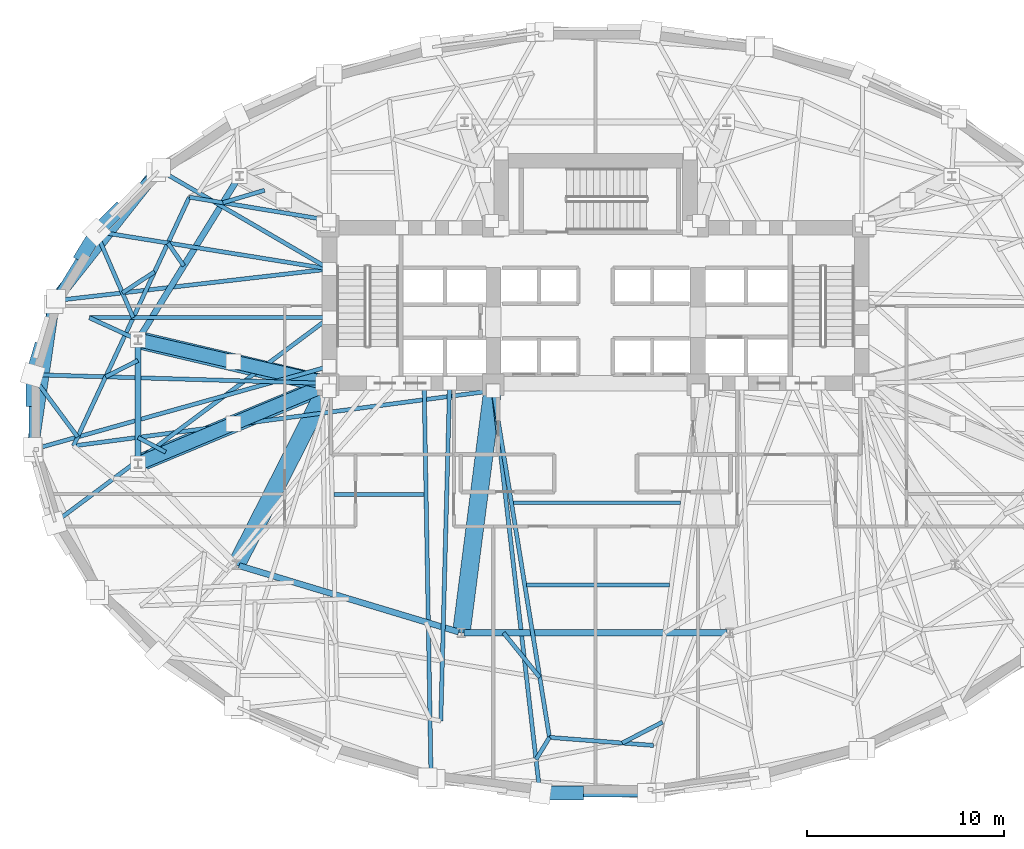
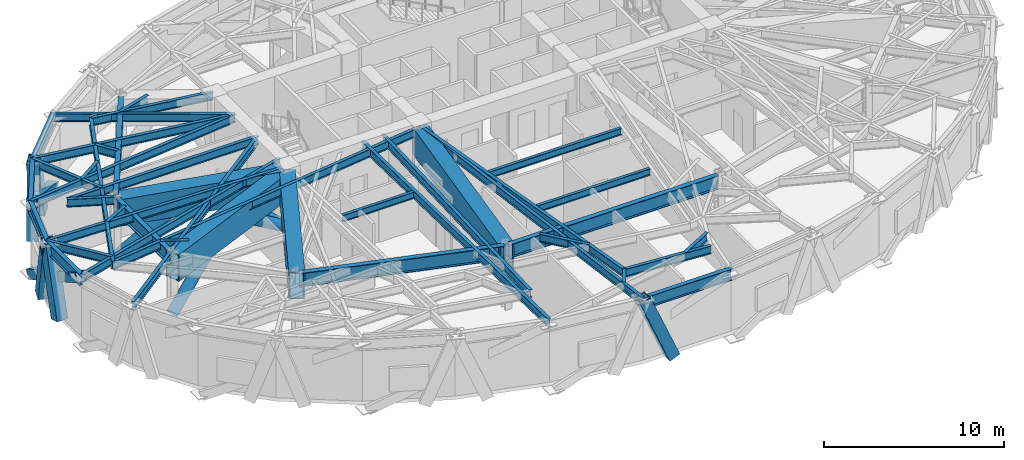
# One storey, part 2 of 14: 42 beams, 11 members.
"""IFC4 building model written with IfcOpenShell, lengths in metres."""

import ifcopenshell
import ifcopenshell.guid

model = None  # the IFC model being written
_history = None  # IfcOwnerHistory: only IFC2X3 demands one
_inside = {}  # id of a spatial element -> (the spatial element, [elements in it])
_under = {}  # id of a project, library or spatial element -> (it, [spatial elements below it])
_declared = {}  # id of a project -> (the project, [libraries it declares])
_typed = {}  # id of a type object -> (the type object, [elements of that type])
_made_of = {}  # id of a material, layer set ... -> (it, [elements and type objects made of it])


def new_model(schema):
    """Start an empty IFC model of exactly this schema.

    Asked for "IFC4X3", IfcOpenShell would pick the latest addendum, in which some entities
    have other attributes; the version numbers below select the first issue.
    IFC2X3 requires an IfcOwnerHistory on every rooted entity: one is made here for all.
    """
    global model, _history
    if schema == "IFC4X3":
        model = ifcopenshell.file(schema_version=(4, 3, 0, 0))
    else:
        model = ifcopenshell.file(schema=schema)
    _inside.clear()
    _under.clear()
    _declared.clear()
    _typed.clear()
    _made_of.clear()
    _history = None
    if model.schema == "IFC2X3":
        org = make("IfcOrganization", Name="unknown")
        user = make(
            "IfcPersonAndOrganization",
            ThePerson=make("IfcPerson", FamilyName="unknown"),
            TheOrganization=org,
        )
        app = make(
            "IfcApplication",
            ApplicationDeveloper=org,
            Version="unknown",
            ApplicationFullName="unknown",
            ApplicationIdentifier="unknown",
        )
        _history = make(
            "IfcOwnerHistory",
            OwningUser=user,
            OwningApplication=app,
            ChangeAction="ADDED",
            CreationDate=0,
        )
    return model


def make(cls, **values):
    """One entity of the class cls with the attributes given. An attribute that is None is left unset."""
    return model.create_entity(
        cls, **{name: value for name, value in values.items() if value is not None}
    )


def rooted(cls, **values):
    """An entity with a GlobalId (a new one), such as an element, a storey or a relation."""
    return make(cls, GlobalId=ifcopenshell.guid.new(), OwnerHistory=_history, **values)


def si_unit(unit_type, name, prefix=None):
    """IfcSIUnit, for example si_unit("LENGTHUNIT", "METRE", prefix="MILLI")."""
    return make("IfcSIUnit", UnitType=unit_type, Prefix=prefix, Name=name)


def assignment(units):
    """IfcUnitAssignment: the units of a project."""
    return None if units is None else make("IfcUnitAssignment", Units=units)


def point(xyz):
    """IfcCartesianPoint."""
    return None if xyz is None else make("IfcCartesianPoint", Coordinates=xyz)


def direction(xyz):
    """IfcDirection."""
    return None if xyz is None else make("IfcDirection", DirectionRatios=xyz)


def frame(location, z_axis=None, x_axis=None):
    """IfcAxis2Placement3D, a coordinate frame: its origin and axes. An axis left out is left unset."""
    return make(
        "IfcAxis2Placement3D",
        Location=point(location),
        Axis=direction(z_axis),
        RefDirection=direction(x_axis),
    )


def frame_2d(location, x_axis=None):
    """IfcAxis2Placement2D, a coordinate frame in the plane: its origin and x axis."""
    return make(
        "IfcAxis2Placement2D", Location=point(location), RefDirection=direction(x_axis)
    )


def origin():
    """The frame at (0, 0, 0) with its axes left unset."""
    return frame((0.0, 0.0, 0.0))


def origin_2d():
    """The frame at (0, 0) in the plane with its x axis left unset."""
    return frame_2d((0.0, 0.0))


def place(relative_to, where):
    """IfcLocalPlacement: puts the frame where relative to a parent placement (None: the world)."""
    return make(
        "IfcLocalPlacement", PlacementRelTo=relative_to, RelativePlacement=where
    )


def context(
    kind, dimensions, precision=None, world=None, true_north=None, identifier=None
):
    """IfcGeometricRepresentationContext, for example the 3D "Model" context."""
    return make(
        "IfcGeometricRepresentationContext",
        ContextIdentifier=identifier,
        ContextType=kind,
        CoordinateSpaceDimension=dimensions,
        Precision=precision,
        WorldCoordinateSystem=world,
        TrueNorth=true_north,
    )


def subcontext(parent, identifier, kind, view, scale=None):
    """IfcGeometricRepresentationSubContext, for example "Body" below "Model"."""
    return make(
        "IfcGeometricRepresentationSubContext",
        ContextIdentifier=identifier,
        ContextType=kind,
        ParentContext=parent,
        TargetScale=scale,
        TargetView=view,
    )


def project(units=None, contexts=None):
    """IfcProject with its units and contexts."""
    return rooted(
        "IfcProject",
        Name="project",
        RepresentationContexts=contexts,
        UnitsInContext=assignment(units),
    )


def spatial(cls, under=None, at=None, **own):
    """A site, building, storey or space (cls), placed at a placement, below another one or the project."""
    s = rooted(cls, ObjectPlacement=at, **own)
    if under is not None:
        _under.setdefault(under.id(), (under, []))[1].append(s)
    return s


def profile(cls, at=None, kind="AREA", **sizes):
    """A parametric profile (cls). Its sizes go by their IFC names, for example OverallWidth=200.0."""
    return make(cls, ProfileType=kind, Position=at, **sizes)


def hollow_rectangle(**sizes):
    """IfcRectangleHollowProfileDef."""
    return profile("IfcRectangleHollowProfileDef", **sizes)


def hollow_circle(**sizes):
    """IfcCircleHollowProfileDef."""
    return profile("IfcCircleHollowProfileDef", **sizes)


def i_section(**sizes):
    """IfcIShapeProfileDef."""
    return profile("IfcIShapeProfileDef", **sizes)


def extrude(swept, where, along, depth):
    """IfcExtrudedAreaSolid: the profile swept, set in the frame where, extruded along a direction by depth."""
    return make(
        "IfcExtrudedAreaSolid",
        SweptArea=swept,
        Position=where,
        ExtrudedDirection=direction(along),
        Depth=depth,
    )


def shape(context_of_items, identifier, shape_type, items):
    """IfcShapeRepresentation: the items that make up one representation, for example the "Body"."""
    return make(
        "IfcShapeRepresentation",
        ContextOfItems=context_of_items,
        RepresentationIdentifier=identifier,
        RepresentationType=shape_type,
        Items=items,
    )


def material(Name=None, Category=None):
    """IfcMaterial."""
    return make("IfcMaterial", Name=Name, Category=Category)


def material_profile(
    of_material, cross_section, Name=None, Category=None, Priority=None
):
    """IfcMaterialProfile: a cross section and its material."""
    return make(
        "IfcMaterialProfile",
        Name=Name,
        Material=of_material,
        Profile=cross_section,
        Priority=Priority,
        Category=Category,
    )


def profile_set(profiles, Name=None, composite=None):
    """IfcMaterialProfileSet."""
    return make(
        "IfcMaterialProfileSet",
        Name=Name,
        MaterialProfiles=profiles,
        CompositeProfile=composite,
    )


def made_of(thing, what):
    """Note that an element or type object is made of a material, layer set ...; save() writes the relation."""
    if what is not None:
        _made_of.setdefault(what.id(), (what, []))[1].append(thing)
    return thing


def type_object(cls, material=None, **own):
    """A type object (cls), such as IfcWallType, which elements share."""
    return made_of(rooted(cls, **own), material)


def element(
    cls,
    number,
    at=None,
    inside=None,
    cuts=None,
    type_object=None,
    material=None,
    context=None,
    identifier="Body",
    shape_type=None,
    held_by="IfcProductDefinitionShape",
    body=None,
    shapes=None,
    **own,
):
    """One element of the class cls, such as IfcWall. Its Tag is "e" and its number.

    at: its placement. inside: the storey or other place that contains it. cuts: it is an
    opening in that element (IfcRelVoidsElement). A single representation is given by context,
    identifier, shape_type and body (its items); several are given by shapes. held_by: the class
    of the entity that holds the representations. save() writes the other relations.
    """
    e = rooted(cls, Tag="e%d" % number, ObjectPlacement=at, **own)
    if body is not None:
        shapes = [shape(context, identifier, shape_type, body)]
    if shapes is not None:
        e.Representation = make(held_by, Representations=shapes)
    if inside is not None:
        _inside.setdefault(inside.id(), (inside, []))[1].append(e)
    if cuts is not None:
        rooted(
            "IfcRelVoidsElement", RelatingBuildingElement=cuts, RelatedOpeningElement=e
        )
    if type_object is not None:
        _typed.setdefault(type_object.id(), (type_object, []))[1].append(e)
    return made_of(e, material)


def aggregate(whole, parts):
    """IfcRelAggregates: a whole, such as a stair, and the parts it consists of."""
    return rooted("IfcRelAggregates", RelatingObject=whole, RelatedObjects=parts)


def save(model, path):
    """Write the relations noted so far, then the file.

    IfcRelAggregates (storeys below a building ...), IfcRelContainedInSpatialStructure (elements
    in a storey), IfcRelDefinesByType, IfcRelAssociatesMaterial and IfcRelDeclares: one each for
    every whole, place, type object, material and project.
    """
    for whole, parts in _under.values():
        aggregate(whole, parts)
    for where, things in _inside.values():
        rooted(
            "IfcRelContainedInSpatialStructure",
            RelatedElements=things,
            RelatingStructure=where,
        )
    for kind, things in _typed.values():
        rooted("IfcRelDefinesByType", RelatedObjects=things, RelatingType=kind)
    for what, things in _made_of.values():
        rooted("IfcRelAssociatesMaterial", RelatedObjects=things, RelatingMaterial=what)
    for by, libraries in _declared.values():
        rooted("IfcRelDeclares", RelatingContext=by, RelatedDefinitions=libraries)
    model.write(path)


model = new_model("IFC4")

# Units and contexts
model_context = context("Model", 3, precision=1e-05, world=origin(), true_north=direction((0.0, 1.0)))
body_context = subcontext(model_context, "Body", "Model", "MODEL_VIEW")
ifc_project = project(units=[si_unit("LENGTHUNIT", "METRE"), si_unit("AREAUNIT", "SQUARE_METRE"), si_unit("VOLUMEUNIT", "CUBIC_METRE"), si_unit("PLANEANGLEUNIT", "RADIAN"), si_unit("MASSUNIT", "GRAM", prefix="KILO")], contexts=[model_context])

# Site, building, storey
site_placement = place(None, origin())
site = spatial("IfcSite", under=ifc_project, at=site_placement, CompositionType="ELEMENT")
building_placement = place(site_placement, origin())
building = spatial("IfcBuilding", under=site, at=building_placement, Name="Keldmark Tower", CompositionType="ELEMENT")
storey_placement = place(building_placement, frame((0.0, 0.0, 77.39990234375)))
storey = spatial("IfcBuildingStorey", under=building, at=storey_placement, Name="L20", CompositionType="ELEMENT", Elevation=77.39990234375)

# Members
ifc_material_1 = material(Name="Steel ASTM A572 Grade 50", Category="steel")
ifc_material_profile_1 = material_profile(ifc_material_1, hollow_rectangle(XDim=0.60009765625, YDim=0.60009765625, WallThickness=0.034912109375, at=origin_2d()), Name="BOX600X600X35")
ifc_profile_set_1 = profile_set([ifc_material_profile_1], Name="Steel ASTM A572 Grade 50")
member_type_1 = type_object("IfcMemberType", Name="Belt Truss Diagonal Brace BOX600", PredefinedType="BRACE", material=ifc_profile_set_1)
member_1_placement = place(storey_placement, frame((-22.341796875, 12.20556640625, -0.539794921875), z_axis=(-0.542666542242, -0.687235016842, 0.482929659017), x_axis=(0.784820232825, -0.619723488459, 0.0)))
element("IfcMember", 1, at=member_1_placement, inside=storey, type_object=member_type_1, Name="L20 Perimeter Belt Truss Brace 07", PredefinedType="BRACE", context=body_context, shape_type="SweptSolid", body=[
    extrude(hollow_rectangle(XDim=0.60009765625, YDim=0.60009765625, WallThickness=0.034912109375, at=origin_2d()), origin(), (0.0, 0.0, 1.0), 9.359130859375),
])
member_2_placement = place(storey_placement, frame((-27.546630859375, 5.4931640625, -0.539794921875), z_axis=(-0.122456747008, -0.842460476351, 0.524656736256), x_axis=(0.989600315234, -0.143844416259, 0.0)))
element("IfcMember", 2, at=member_2_placement, inside=storey, type_object=member_type_1, Name="L20 Perimeter Belt Truss Brace 08", PredefinedType="BRACE", context=body_context, shape_type="SweptSolid", body=[
    extrude(hollow_rectangle(XDim=0.60009765625, YDim=0.60009765625, WallThickness=0.034912109375, at=origin_2d()), origin(), (0.0, 0.0, 1.0), 8.61474609375),
])

# Beams
ifc_material_2 = material(Name="Steel ASTM A992 Grade 50", Category="steel")
ifc_material_profile_2 = material_profile(ifc_material_2, i_section(OverallWidth=0.19091796875, OverallDepth=0.45703125, WebThickness=0.009033203125, FlangeThickness=0.014404296875, at=origin_2d()), Name="W18X50")
ifc_profile_set_2 = profile_set([ifc_material_profile_2], Name="Steel ASTM A992 Grade 50")
beam_type_1 = type_object("IfcBeamType", Name="Composite Floor Joist W18X50", PredefinedType="JOIST", material=ifc_profile_set_2)
beam_1_placement = place(storey_placement, frame((-3.501220703125, -8.780029296875, 4.051513671875), z_axis=(1.0, 0.0, 0.0), x_axis=(0.0, 1.0, 0.0)))
element("IfcBeam", 3, at=beam_1_placement, inside=storey, type_object=beam_type_1, Name="L20 Composite Floor Joist J03", PredefinedType="JOIST", context=body_context, shape_type="SweptSolid", body=[
    extrude(i_section(OverallWidth=0.19091796875, OverallDepth=0.45703125, WebThickness=0.009033203125, FlangeThickness=0.014404296875, at=origin_2d()), origin(), (0.0, 0.0, 1.0), 7.250732421875),
])
beam_2_placement = place(storey_placement, frame((-13.2958984375, -4.179931640625, 4.051513671875), z_axis=(1.0, 0.0, 0.0), x_axis=(0.0, 1.0, 0.0)))
element("IfcBeam", 4, at=beam_2_placement, inside=storey, type_object=beam_type_1, Name="L20 Composite Floor Joist J06", PredefinedType="JOIST", context=body_context, shape_type="SweptSolid", body=[
    extrude(i_section(OverallWidth=0.19091796875, OverallDepth=0.45703125, WebThickness=0.009033203125, FlangeThickness=0.014404296875, at=origin_2d()), origin(), (0.0, 0.0, 1.0), 4.5849609375),
])
beam_3_placement = place(storey_placement, frame((-4.1787109375, -4.60009765625, 4.051513671875), z_axis=(1.0, 0.0, 0.0), x_axis=(0.0, 1.0, 0.0)))
element("IfcBeam", 5, at=beam_3_placement, inside=storey, type_object=beam_type_1, Name="L20 Composite Floor Joist J07", PredefinedType="JOIST", context=body_context, shape_type="SweptSolid", body=[
    extrude(i_section(OverallWidth=0.19091796875, OverallDepth=0.45703125, WebThickness=0.009033203125, FlangeThickness=0.014404296875, at=origin_2d()), origin(), (0.0, 0.0, 1.0), 8.500732421875),
])

# Members
ifc_material_3 = material(Name="Steel ASTM A572 Grade 50", Category="steel")
ifc_material_profile_3 = material_profile(ifc_material_3, hollow_rectangle(XDim=0.699951171875, YDim=0.699951171875, WallThickness=0.054931640625, at=origin_2d()), Name="BOX700X700X55")
ifc_profile_set_3 = profile_set([ifc_material_profile_3], Name="Steel ASTM A572 Grade 50")
member_type_2 = type_object("IfcMemberType", Name="Diagrid Zone 1 Brace BOX700X700X55", PredefinedType="BRACE", material=ifc_profile_set_3)
member_3_placement = place(storey_placement, frame((-24.307373046875, 10.213623046875, -0.31982421875), z_axis=(-0.221448444143, -0.224447979351, 0.948990880437), x_axis=(0.711847366436, -0.702334198867, 0.0)))
element("IfcMember", 6, at=member_3_placement, inside=storey, type_object=member_type_2, Name="L20 Perimeter Diagrid Brace 07A", PredefinedType="BRACE", context=body_context, shape_type="SweptSolid", body=[
    extrude(hollow_rectangle(XDim=0.699951171875, YDim=0.699951171875, WallThickness=0.054931640625, at=origin_2d()), origin(), (0.0, 0.0, 1.0), 4.720703125),
])
member_4_placement = place(storey_placement, frame((-26.066650390625, 7.98681640625, -0.31982421875), z_axis=(0.153640198421, 0.251084541216, 0.9556941156), x_axis=(-0.852979915636, 0.521943735973, 0.0)))
element("IfcMember", 7, at=member_4_placement, inside=storey, type_object=member_type_2, Name="L20 Perimeter Diagrid Brace 07B", PredefinedType="BRACE", context=body_context, shape_type="SweptSolid", body=[
    extrude(hollow_rectangle(XDim=0.699951171875, YDim=0.699951171875, WallThickness=0.054931640625, at=origin_2d()), origin(), (0.0, 0.0, 1.0), 4.687744140625),
])
member_5_placement = place(storey_placement, frame((-28.23681640625, 3.143798828125, -0.31982421875), z_axis=(-0.078701515686, -0.267920053399, 0.960221285129), x_axis=(0.95946093439, -0.281841649477, 0.0)))
element("IfcMember", 8, at=member_5_placement, inside=storey, type_object=member_type_2, Name="L20 Perimeter Diagrid Brace 08A", PredefinedType="BRACE", context=body_context, shape_type="SweptSolid", body=[
    extrude(hollow_rectangle(XDim=0.699951171875, YDim=0.699951171875, WallThickness=0.054931640625, at=origin_2d()), origin(), (0.0, 0.0, 1.0), 4.66552734375),
])
member_6_placement = place(storey_placement, frame((-28.6015625, 0.631103515625, -0.31982421875), z_axis=(0.0, 0.273613279617, 0.961839785628), x_axis=(-1.0, 0.0, 0.0)))
element("IfcMember", 9, at=member_6_placement, inside=storey, type_object=member_type_2, Name="L20 Perimeter Diagrid Brace 08B", PredefinedType="BRACE", context=body_context, shape_type="SweptSolid", body=[
    extrude(hollow_rectangle(XDim=0.699951171875, YDim=0.699951171875, WallThickness=0.054931640625, at=origin_2d()), origin(), (0.0, 0.0, 1.0), 4.65771484375),
])
member_7_placement = place(storey_placement, frame((-0.93505859375, -19.346435546875, -0.31982421875), z_axis=(-0.387275193289, 0.0, 0.921964166691), x_axis=(0.0, -1.0, 0.0)))
element("IfcMember", 10, at=member_7_placement, inside=storey, type_object=member_type_2, Name="L20 Perimeter Diagrid Brace 12B", PredefinedType="BRACE", context=body_context, shape_type="SweptSolid", body=[
    extrude(hollow_rectangle(XDim=0.699951171875, YDim=0.699951171875, WallThickness=0.054931640625, at=origin_2d()), origin(), (0.0, 0.0, 1.0), 4.859130859375),
])

# Beams
ifc_material_4 = material(Name="Steel ASTM A992 Grade 50", Category="steel")
ifc_material_profile_4 = material_profile(ifc_material_4, i_section(OverallWidth=0.31005859375, OverallDepth=0.931884765625, WebThickness=0.02099609375, FlangeThickness=0.034423828125, at=origin_2d()), Name="W36X210")
ifc_profile_set_4 = profile_set([ifc_material_profile_4], Name="Steel ASTM A992 Grade 50")
beam_type_2 = type_object("IfcBeamType", Name="Outrigger Chord Girder W36X210", PredefinedType="BEAM", material=ifc_profile_set_4)
beam_4_placement = place(storey_placement, frame((-18.17138671875, 11.888427734375, 3.814208984375), z_axis=(-0.526318405849, -0.850287560573, 0.0), x_axis=(0.850287560573, -0.526318405849, 0.0)))
element("IfcBeam", 11, at=beam_4_placement, inside=storey, type_object=beam_type_2, Name="L20 Floor Ring Girder FG-R05", PredefinedType="BEAM", context=body_context, shape_type="SweptSolid", body=[
    extrude(i_section(OverallWidth=0.31005859375, OverallDepth=0.931884765625, WebThickness=0.02099609375, FlangeThickness=0.034423828125, at=origin_2d()), origin(), (0.0, 0.0, 1.0), 9.51708984375),
])
beam_5_placement = place(storey_placement, frame((-23.25390625, 3.537109375, 3.814208984375), z_axis=(0.0, -1.0, 0.0), x_axis=(1.0, 0.0, 0.0)))
element("IfcBeam", 12, at=beam_5_placement, inside=storey, type_object=beam_type_2, Name="L20 Floor Ring Girder FG-R06", PredefinedType="BEAM", context=body_context, shape_type="SweptSolid", body=[
    extrude(i_section(OverallWidth=0.31005859375, OverallDepth=0.931884765625, WebThickness=0.02099609375, FlangeThickness=0.034423828125, at=origin_2d()), origin(), (0.0, 0.0, 1.0), 6.01025390625),
])
beam_6_placement = place(storey_placement, frame((-18.118896484375, -7.796142578125, 3.814208984375), z_axis=(0.957346071406, -0.2889437654, 0.0), x_axis=(0.2889437654, 0.957346071406, 0.0)))
element("IfcBeam", 13, at=beam_6_placement, inside=storey, type_object=beam_type_2, Name="L20 Floor Ring Girder FG-R08", PredefinedType="BEAM", context=body_context, shape_type="SweptSolid", body=[
    extrude(i_section(OverallWidth=0.31005859375, OverallDepth=0.931884765625, WebThickness=0.02099609375, FlangeThickness=0.034423828125, at=origin_2d()), origin(), (0.0, 0.0, 1.0), 11.66015625),
])
beam_7_placement = place(storey_placement, frame((-6.68212890625, -11.205810546875, 3.814208984375), z_axis=(1.0, 0.0, 0.0), x_axis=(0.0, 1.0, 0.0)))
element("IfcBeam", 14, at=beam_7_placement, inside=storey, type_object=beam_type_2, Name="L20 Floor Ring Girder FG-R09", PredefinedType="BEAM", context=body_context, shape_type="SweptSolid", body=[
    extrude(i_section(OverallWidth=0.31005859375, OverallDepth=0.931884765625, WebThickness=0.02099609375, FlangeThickness=0.034423828125, at=origin_2d()), origin(), (0.0, 0.0, 1.0), 13.3642578125),
])

# Members
ifc_material_5 = material(Name="Steel ASTM A572 Grade 50", Category="steel")
ifc_material_profile_5 = material_profile(ifc_material_5, hollow_circle(Radius=0.35009765625, WallThickness=0.031982421875, at=origin_2d()), Name="CHS700X32")
ifc_profile_set_5 = profile_set([ifc_material_profile_5], Name="Steel ASTM A572 Grade 50")
member_type_3 = type_object("IfcMemberType", Name="Outrigger Web Strut CHS700X32", PredefinedType="STRUT", material=ifc_profile_set_5)
member_8_placement = place(storey_placement, frame((-13.550048828125, 1.449951171875, 0.150146484375), z_axis=(-0.77250098026, 0.177324618695, 0.609752585154), x_axis=(-0.223727542201, -0.974651725931, 0.0)))
element("IfcMember", 15, at=member_8_placement, inside=storey, type_object=member_type_3, Name="L20 Core Outrigger Truss Strut 01A", PredefinedType="STRUT", context=body_context, shape_type="SweptSolid", body=[
    extrude(hollow_circle(Radius=0.35009765625, WallThickness=0.031982421875, at=origin_2d()), origin(), (0.0, 0.0, 1.0), 6.281005859375),
])
member_9_placement = place(storey_placement, frame((-23.25390625, 3.67724609375, 0.150146484375), z_axis=(0.772490629777, -0.177292294189, 0.609775097334), x_axis=(0.223691646943, 0.974659964853, 0.0)))
element("IfcMember", 16, at=member_9_placement, inside=storey, type_object=member_type_3, Name="L20 Core Outrigger Truss Strut 01B", PredefinedType="STRUT", context=body_context, shape_type="SweptSolid", body=[
    extrude(hollow_circle(Radius=0.35009765625, WallThickness=0.031982421875, at=origin_2d()), origin(), (0.0, 0.0, 1.0), 6.28076171875),
])
for number, where, z_axis, x_axis, name in (
    (17, (-13.550048828125, 1.449951171875, 0.150146484375), (-0.745702038207, -0.312216295659, 0.588599570965), (0.38620329616, -0.922413689206, 0.0), "L20 Core Outrigger Truss Strut 02A"),
    (18, (-23.25390625, -2.61328125, 0.150146484375), (0.745676644221, 0.312258895648, 0.588609143959), (-0.38625932144, 0.922390230109, 0.0), "L20 Core Outrigger Truss Strut 02B"),
):
    element("IfcMember", number, at=place(storey_placement, frame(where, z_axis=z_axis, x_axis=x_axis)), inside=storey, type_object=member_type_3, Name=name, PredefinedType="STRUT", context=body_context, shape_type="SweptSolid", body=[
        extrude(hollow_circle(Radius=0.35009765625, WallThickness=0.031982421875, at=origin_2d()), origin(), (0.0, 0.0, 1.0), 6.506591796875),
    ])

# Beams
ifc_material_6 = material(Name="Steel ASTM A572 Grade 50", Category="steel")
ifc_material_profile_6 = material_profile(ifc_material_6, hollow_rectangle(XDim=0.89990234375, YDim=1.800048828125, WallThickness=0.074951171875, at=origin_2d()), Name="TBOX1800X900X75")
ifc_profile_set_6 = profile_set([ifc_material_profile_6], Name="Steel ASTM A572 Grade 50")
beam_type_3 = type_object("IfcBeamType", Name="Perimeter Transfer Box Girder 1800x900", PredefinedType="USERDEFINED", material=ifc_profile_set_6)
beam_8_placement = place(storey_placement, frame((-23.25390625, 3.67724609375, 3.380126953125), z_axis=(0.973289459221, -0.22958142035, 0.0), x_axis=(0.22958142035, 0.973289459221, 0.0)))
element("IfcBeam", 19, at=beam_8_placement, inside=storey, type_object=beam_type_3, Name="L20 Upper Crown Transfer Box Girder UTB-TC-W1", ObjectType="TRANSFER GIRDER", PredefinedType="USERDEFINED", context=body_context, shape_type="SweptSolid", body=[
    extrude(hollow_rectangle(XDim=0.89990234375, YDim=1.800048828125, WallThickness=0.074951171875, at=origin_2d()), origin(), (0.0, 0.0, 1.0), 9.638916015625),
])
beam_9_placement = place(storey_placement, frame((-23.25390625, -2.61328125, 3.380126953125), z_axis=(0.923391802867, 0.38385880008, 0.0), x_axis=(-0.38385880008, 0.923391802867, 0.0)))
element("IfcBeam", 20, at=beam_9_placement, inside=storey, type_object=beam_type_3, Name="L20 Upper Crown Transfer Box Girder UTB-TC-W5", ObjectType="TRANSFER GIRDER", PredefinedType="USERDEFINED", context=body_context, shape_type="SweptSolid", body=[
    extrude(hollow_rectangle(XDim=0.89990234375, YDim=1.800048828125, WallThickness=0.074951171875, at=origin_2d()), origin(), (0.0, 0.0, 1.0), 10.175048828125),
])
beam_10_placement = place(storey_placement, frame((-18.252685546875, -7.755615234375, 3.380126953125), z_axis=(0.45303997772, 0.891490201061, 0.0), x_axis=(-0.891490201061, 0.45303997772, 0.0)))
element("IfcBeam", 21, at=beam_10_placement, inside=storey, type_object=beam_type_3, Name="L20 Upper Crown Transfer Box Girder UTB-TC-W2", ObjectType="TRANSFER GIRDER", PredefinedType="USERDEFINED", context=body_context, shape_type="SweptSolid", body=[
    extrude(hollow_rectangle(XDim=0.89990234375, YDim=1.800048828125, WallThickness=0.074951171875, at=origin_2d()), origin(), (0.0, 0.0, 1.0), 9.989990234375),
])
beam_11_placement = place(storey_placement, frame((-6.822021484375, -11.205810546875, 3.380126953125), z_axis=(0.12763105011, 0.991821715354, 0.0), x_axis=(-0.991821715354, 0.12763105011, 0.0)))
element("IfcBeam", 22, at=beam_11_placement, inside=storey, type_object=beam_type_3, Name="L20 Upper Crown Transfer Box Girder UTB-TC-W3", ObjectType="TRANSFER GIRDER", PredefinedType="USERDEFINED", context=body_context, shape_type="SweptSolid", body=[
    extrude(hollow_rectangle(XDim=0.89990234375, YDim=1.800048828125, WallThickness=0.074951171875, at=origin_2d()), origin(), (0.0, 0.0, 1.0), 12.4296875),
])
ifc_material_7 = material(Name="Steel ASTM A992 Grade 50", Category="steel")
ifc_material_profile_7 = material_profile(ifc_material_7, i_section(OverallWidth=0.2099609375, OverallDepth=0.537109375, WebThickness=0.010986328125, FlangeThickness=0.017333984375, at=origin_2d()), Name="W21X68")
ifc_profile_set_7 = profile_set([ifc_material_profile_7], Name="Steel ASTM A992 Grade 50")
beam_type_4 = type_object("IfcBeamType", Name="Radial Tie Girder W21X68", PredefinedType="BEAM", material=ifc_profile_set_7)
beam_12_placement = place(storey_placement, frame((-16.8212890625, 11.28173828125, 4.01171875), z_axis=(-0.958075205572, -0.286516841509, 0.0), x_axis=(0.286516841509, -0.958075205572, 0.0)))
element("IfcBeam", 23, at=beam_12_placement, inside=storey, type_object=beam_type_4, Name="L20 Framing Pin Header PH-006", PredefinedType="BEAM", context=body_context, shape_type="SweptSolid", body=[
    extrude(i_section(OverallWidth=0.2099609375, OverallDepth=0.537109375, WebThickness=0.010986328125, FlangeThickness=0.017333984375, at=origin_2d()), origin(), (0.0, 0.0, 1.0), 2.21044921875),
])
beam_13_placement = place(storey_placement, frame((-13.52490234375, 9.75, 4.01171875), z_axis=(-0.98650526211, 0.163729556981, 0.0), x_axis=(-0.163729556981, -0.98650526211, 0.0)))
element("IfcBeam", 24, at=beam_13_placement, inside=storey, type_object=beam_type_4, Name="L20 Sub-Ring Step Girder STP1-M06", PredefinedType="BEAM", context=body_context, shape_type="SweptSolid", body=[
    extrude(i_section(OverallWidth=0.2099609375, OverallDepth=0.537109375, WebThickness=0.010986328125, FlangeThickness=0.017333984375, at=origin_2d()), origin(), (0.0, 0.0, 1.0), 7.215576171875),
])
beam_14_placement = place(storey_placement, frame((-21.8447265625, -2.02734375, 4.01171875), z_axis=(-0.88282246256, 0.469706823029, 0.0), x_axis=(-0.469706823029, -0.88282246256, 0.0)))
element("IfcBeam", 25, at=beam_14_placement, inside=storey, type_object=beam_type_4, Name="L20 Framing Pin Header PH-007", PredefinedType="BEAM", context=body_context, shape_type="SweptSolid", body=[
    extrude(i_section(OverallWidth=0.2099609375, OverallDepth=0.537109375, WebThickness=0.010986328125, FlangeThickness=0.017333984375, at=origin_2d()), origin(), (0.0, 0.0, 1.0), 1.59619140625),
])
beam_15_placement = place(storey_placement, frame((-5.199951171875, 1.10009765625, 4.01171875), z_axis=(-0.991439381408, -0.130567809946, 0.0), x_axis=(0.130567809946, -0.991439381408, 0.0)))
element("IfcBeam", 26, at=beam_15_placement, inside=storey, type_object=beam_type_4, Name="L20 Sub-Ring Step Girder STP1-M07", PredefinedType="BEAM", context=body_context, shape_type="SweptSolid", body=[
    extrude(i_section(OverallWidth=0.2099609375, OverallDepth=0.537109375, WebThickness=0.010986328125, FlangeThickness=0.017333984375, at=origin_2d()), origin(), (0.0, 0.0, 1.0), 21.51611328125),
])
beam_16_placement = place(storey_placement, frame((-20.64306640625, 10.931396484375, 4.01171875), z_axis=(-0.422294024081, -0.906458910942, 0.0), x_axis=(0.906458910942, -0.422294024081, 0.0)))
element("IfcBeam", 27, at=beam_16_placement, inside=storey, type_object=beam_type_4, Name="L20 Perimeter Collector Ring Beam CRG1-M06", PredefinedType="BEAM", context=body_context, shape_type="SweptSolid", body=[
    extrude(i_section(OverallWidth=0.2099609375, OverallDepth=0.537109375, WebThickness=0.010986328125, FlangeThickness=0.017333984375, at=origin_2d()), origin(), (0.0, 0.0, 1.0), 13.945068359375),
])
beam_17_placement = place(storey_placement, frame((-13.52490234375, 7.278564453125, 4.01171875), z_axis=(-0.8639942117, 0.503501739967, 0.0), x_axis=(-0.503501739967, -0.8639942117, 0.0)))
element("IfcBeam", 28, at=beam_17_placement, inside=storey, type_object=beam_type_4, Name="L20 Perimeter Radial Tie Girder RT-13", PredefinedType="BEAM", context=body_context, shape_type="SweptSolid", body=[
    extrude(i_section(OverallWidth=0.2099609375, OverallDepth=0.537109375, WebThickness=0.010986328125, FlangeThickness=0.017333984375, at=origin_2d()), origin(), (0.0, 0.0, 1.0), 10.11328125),
])
beam_18_placement = place(storey_placement, frame((-20.92626953125, 7.437744140625, 4.01171875), z_axis=(-0.567987322016, 0.823037302939, 0.0), x_axis=(-0.823037302939, -0.567987322016, 0.0)))
element("IfcBeam", 29, at=beam_18_placement, inside=storey, type_object=beam_type_4, Name="L20 Framing Pin Header PH-024", PredefinedType="BEAM", context=body_context, shape_type="SweptSolid", body=[
    extrude(i_section(OverallWidth=0.2099609375, OverallDepth=0.537109375, WebThickness=0.010986328125, FlangeThickness=0.017333984375, at=origin_2d()), origin(), (0.0, 0.0, 1.0), 1.412841796875),
])
beam_19_placement = place(storey_placement, frame((-13.52490234375, 7.278564453125, 4.01171875), z_axis=(-0.987262933016, 0.15909714357, 0.0), x_axis=(-0.15909714357, -0.987262933016, 0.0)))
element("IfcBeam", 30, at=beam_19_placement, inside=storey, type_object=beam_type_4, Name="L20 Perimeter Radial Tie Girder RT-14", PredefinedType="BEAM", context=body_context, shape_type="SweptSolid", body=[
    extrude(i_section(OverallWidth=0.2099609375, OverallDepth=0.537109375, WebThickness=0.010986328125, FlangeThickness=0.017333984375, at=origin_2d()), origin(), (0.0, 0.0, 1.0), 12.027587890625),
])
beam_20_placement = place(storey_placement, frame((-25.3994140625, 9.192138671875, 4.01171875), z_axis=(0.398100416089, -0.917341843976, 0.0), x_axis=(0.917341843976, 0.398100416089, 0.0)))
element("IfcBeam", 31, at=beam_20_placement, inside=storey, type_object=beam_type_4, Name="L20 Framing Pin Header PH-025", PredefinedType="BEAM", context=body_context, shape_type="SweptSolid", body=[
    extrude(i_section(OverallWidth=0.2099609375, OverallDepth=0.537109375, WebThickness=0.010986328125, FlangeThickness=0.017333984375, at=origin_2d()), origin(), (0.0, 0.0, 1.0), 4.7802734375),
])
beam_21_placement = place(storey_placement, frame((-13.52490234375, 4.80712890625, 4.01171875), z_axis=(-0.999999999199, -4.0016006e-05, 0.0), x_axis=(4.0016006e-05, -0.999999999199, 0.0)))
element("IfcBeam", 32, at=beam_21_placement, inside=storey, type_object=beam_type_4, Name="L20 Intermediate Radial Step Girder RT-15M", PredefinedType="BEAM", context=body_context, shape_type="SweptSolid", body=[
    extrude(i_section(OverallWidth=0.2099609375, OverallDepth=0.537109375, WebThickness=0.010986328125, FlangeThickness=0.017333984375, at=origin_2d()), origin(), (0.0, 0.0, 1.0), 12.2021484375),
])
beam_22_placement = place(storey_placement, frame((-23.25390625, 3.67724609375, 4.01171875), z_axis=(-0.909639324148, 0.415398964808, 0.0), x_axis=(-0.415398964808, -0.909639324148, 0.0)))
element("IfcBeam", 33, at=beam_22_placement, inside=storey, type_object=beam_type_4, Name="L20 Local Collector Chord RT-15C", PredefinedType="BEAM", context=body_context, shape_type="SweptSolid", body=[
    extrude(i_section(OverallWidth=0.2099609375, OverallDepth=0.537109375, WebThickness=0.010986328125, FlangeThickness=0.017333984375, at=origin_2d()), origin(), (0.0, 0.0, 1.0), 2.71875),
])
beam_23_placement = place(storey_placement, frame((-23.25390625, 2.635498046875, 4.01171875), z_axis=(-0.891386944166, -0.453243108906, 0.0), x_axis=(0.453243108906, -0.891386944166, 0.0)))
element("IfcBeam", 34, at=beam_23_placement, inside=storey, type_object=beam_type_4, Name="L20 Framing Pin Header PH-026", PredefinedType="BEAM", context=body_context, shape_type="SweptSolid", body=[
    extrude(i_section(OverallWidth=0.2099609375, OverallDepth=0.537109375, WebThickness=0.010986328125, FlangeThickness=0.017333984375, at=origin_2d()), origin(), (0.0, 0.0, 1.0), 1.84326171875),
])
beam_24_placement = place(storey_placement, frame((-13.89990234375, 1.47509765625, 4.01171875), z_axis=(-0.999563529076, 0.02954236519, 0.0), x_axis=(-0.02954236519, -0.999563529076, 0.0)))
element("IfcBeam", 35, at=beam_24_placement, inside=storey, type_object=beam_type_4, Name="L20 Perimeter Radial Tie Girder RT-16", PredefinedType="BEAM", context=body_context, shape_type="SweptSolid", body=[
    extrude(i_section(OverallWidth=0.2099609375, OverallDepth=0.537109375, WebThickness=0.010986328125, FlangeThickness=0.017333984375, at=origin_2d()), origin(), (0.0, 0.0, 1.0), 14.767822265625),
])
beam_25_placement = place(storey_placement, frame((-28.661376953125, 1.911376953125, 4.01171875), z_axis=(0.594619421448, -0.804007303224, 0.0), x_axis=(0.804007303224, 0.594619421448, 0.0)))
element("IfcBeam", 36, at=beam_25_placement, inside=storey, type_object=beam_type_4, Name="L20 Framing Pin Header PH-027", PredefinedType="BEAM", context=body_context, shape_type="SweptSolid", body=[
    extrude(i_section(OverallWidth=0.2099609375, OverallDepth=0.537109375, WebThickness=0.010986328125, FlangeThickness=0.017333984375, at=origin_2d()), origin(), (0.0, 0.0, 1.0), 3.9375),
])
beam_26_placement = place(storey_placement, frame((-13.52490234375, 2.335693359375, 4.01171875), z_axis=(-0.962817591314, -0.270152338239, 0.0), x_axis=(0.270152338239, -0.962817591314, 0.0)))
element("IfcBeam", 37, at=beam_26_placement, inside=storey, type_object=beam_type_4, Name="L20 Perimeter Radial Tie Girder RT-17", PredefinedType="BEAM", context=body_context, shape_type="SweptSolid", body=[
    extrude(i_section(OverallWidth=0.2099609375, OverallDepth=0.537109375, WebThickness=0.010986328125, FlangeThickness=0.017333984375, at=origin_2d()), origin(), (0.0, 0.0, 1.0), 15.720947265625),
])
beam_27_placement = place(storey_placement, frame((-13.52490234375, 4.80712890625, 4.01171875), z_axis=(-0.801598479288, -0.597862758501, 0.0), x_axis=(0.597862758501, -0.801598479288, 0.0)))
element("IfcBeam", 38, at=beam_27_placement, inside=storey, type_object=beam_type_4, Name="L20 Perimeter Radial Tie Girder RT-18", PredefinedType="BEAM", context=body_context, shape_type="SweptSolid", body=[
    extrude(i_section(OverallWidth=0.2099609375, OverallDepth=0.537109375, WebThickness=0.010986328125, FlangeThickness=0.017333984375, at=origin_2d()), origin(), (0.0, 0.0, 1.0), 17.508544921875),
])
beam_28_placement = place(storey_placement, frame((-7.41796875, 1.47509765625, 4.01171875), z_axis=(-0.026145911286, -0.999658137226, 0.0), x_axis=(0.999658137226, -0.026145911286, 0.0)))
element("IfcBeam", 39, at=beam_28_placement, inside=storey, type_object=beam_type_4, Name="L20 Intermediate Radial Step Girder RT-23M", PredefinedType="BEAM", context=body_context, shape_type="SweptSolid", body=[
    extrude(i_section(OverallWidth=0.2099609375, OverallDepth=0.537109375, WebThickness=0.010986328125, FlangeThickness=0.017333984375, at=origin_2d()), origin(), (0.0, 0.0, 1.0), 17.171875),
])
beam_29_placement = place(storey_placement, frame((-8.71435546875, 1.47509765625, 4.01171875), z_axis=(0.017590487961, -0.999845275397, 0.0), x_axis=(0.999845275397, 0.017590487961, 0.0)))
element("IfcBeam", 40, at=beam_29_placement, inside=storey, type_object=beam_type_4, Name="L20 Perimeter Radial Tie Girder RT-23", PredefinedType="BEAM", context=body_context, shape_type="SweptSolid", body=[
    extrude(i_section(OverallWidth=0.2099609375, OverallDepth=0.537109375, WebThickness=0.010986328125, FlangeThickness=0.017333984375, at=origin_2d()), origin(), (0.0, 0.0, 1.0), 20.138671875),
])
beam_30_placement = place(storey_placement, frame((-4.677490234375, -11.205810546875, 4.01171875), z_axis=(0.629868731239, -0.77670160384, 0.0), x_axis=(0.77670160384, 0.629868731239, 0.0)))
element("IfcBeam", 41, at=beam_30_placement, inside=storey, type_object=beam_type_4, Name="L20 Framing Pin Header PH-037", PredefinedType="BEAM", context=body_context, shape_type="SweptSolid", body=[
    extrude(i_section(OverallWidth=0.2099609375, OverallDepth=0.537109375, WebThickness=0.010986328125, FlangeThickness=0.017333984375, at=origin_2d()), origin(), (0.0, 0.0, 1.0), 2.92138671875),
])
beam_31_placement = place(storey_placement, frame((-5.199951171875, 1.10009765625, 4.01171875), z_axis=(0.15999948633, -0.9871170976, 0.0), x_axis=(0.9871170976, 0.15999948633, 0.0)))
element("IfcBeam", 42, at=beam_31_placement, inside=storey, type_object=beam_type_4, Name="L20 Intermediate Radial Step Girder RT-24M", PredefinedType="BEAM", context=body_context, shape_type="SweptSolid", body=[
    extrude(i_section(OverallWidth=0.2099609375, OverallDepth=0.537109375, WebThickness=0.010986328125, FlangeThickness=0.017333984375, at=origin_2d()), origin(), (0.0, 0.0, 1.0), 17.851318359375),
])
beam_32_placement = place(storey_placement, frame((-2.34375, -16.521240234375, 4.01171875), z_axis=(0.99701428722, -0.077217297792, 0.0), x_axis=(0.077217297792, 0.99701428722, 0.0)))
element("IfcBeam", 43, at=beam_32_placement, inside=storey, type_object=beam_type_4, Name="L20 Local Collector Chord RT-25C", PredefinedType="BEAM", context=body_context, shape_type="SweptSolid", body=[
    extrude(i_section(OverallWidth=0.2099609375, OverallDepth=0.537109375, WebThickness=0.010986328125, FlangeThickness=0.017333984375, at=origin_2d()), origin(), (0.0, 0.0, 1.0), 5.305419921875),
])
beam_33_placement = place(storey_placement, frame((1.35888671875, -16.80810546875, 4.01171875), z_axis=(0.88692675214, 0.461910095515, 0.0), x_axis=(-0.461910095515, 0.88692675214, 0.0)))
element("IfcBeam", 44, at=beam_33_placement, inside=storey, type_object=beam_type_4, Name="L20 Framing Pin Header PH-039", PredefinedType="BEAM", context=body_context, shape_type="SweptSolid", body=[
    extrude(i_section(OverallWidth=0.2099609375, OverallDepth=0.537109375, WebThickness=0.010986328125, FlangeThickness=0.017333984375, at=origin_2d()), origin(), (0.0, 0.0, 1.0), 2.302978515625),
])
beam_34_placement = place(storey_placement, frame((-22.40966796875, 7.13916015625, 4.01171875), z_axis=(-0.835741521796, -0.549123036073, 0.0), x_axis=(0.549123036073, -0.835741521796, 0.0)))
element("IfcBeam", 45, at=beam_34_placement, inside=storey, type_object=beam_type_4, Name="L20 Framing Pin Header PH-050", PredefinedType="BEAM", context=body_context, shape_type="SweptSolid", body=[
    extrude(i_section(OverallWidth=0.2099609375, OverallDepth=0.537109375, WebThickness=0.010986328125, FlangeThickness=0.017333984375, at=origin_2d()), origin(), (0.0, 0.0, 1.0), 1.9541015625),
])
beam_35_placement = place(storey_placement, frame((-13.52490234375, 7.278564453125, 4.01171875), z_axis=(-0.993420963884, -0.114519817135, 0.0), x_axis=(0.114519817135, -0.993420963884, 0.0)))
element("IfcBeam", 46, at=beam_35_placement, inside=storey, type_object=beam_type_4, Name="L20 Perimeter Radial Tie Girder RT-15R", PredefinedType="BEAM", context=body_context, shape_type="SweptSolid", body=[
    extrude(i_section(OverallWidth=0.2099609375, OverallDepth=0.537109375, WebThickness=0.010986328125, FlangeThickness=0.017333984375, at=origin_2d()), origin(), (0.0, 0.0, 1.0), 14.1279296875),
])
beam_36_placement = place(storey_placement, frame((-2.34375, -16.521240234375, 4.01171875), z_axis=(-0.519893913141, -0.854230834774, 0.0), x_axis=(0.854230834774, -0.519893913141, 0.0)))
element("IfcBeam", 47, at=beam_36_placement, inside=storey, type_object=beam_type_4, Name="L20 Framing Pin Header PH-051", PredefinedType="BEAM", context=body_context, shape_type="SweptSolid", body=[
    extrude(i_section(OverallWidth=0.2099609375, OverallDepth=0.537109375, WebThickness=0.010986328125, FlangeThickness=0.017333984375, at=origin_2d()), origin(), (0.0, 0.0, 1.0), 1.314453125),
])
beam_37_placement = place(storey_placement, frame((-5.199951171875, 1.10009765625, 4.01171875), z_axis=(0.11514345991, -0.993348873075, 0.0), x_axis=(0.993348873075, 0.11514345991, 0.0)))
element("IfcBeam", 48, at=beam_37_placement, inside=storey, type_object=beam_type_4, Name="L20 Perimeter Radial Tie Girder RT-24R", PredefinedType="BEAM", context=body_context, shape_type="SweptSolid", body=[
    extrude(i_section(OverallWidth=0.2099609375, OverallDepth=0.537109375, WebThickness=0.010986328125, FlangeThickness=0.017333984375, at=origin_2d()), origin(), (0.0, 0.0, 1.0), 20.643310546875),
])
ifc_material_8 = material(Name="Steel ASTM A992 Grade 50", Category="steel")
ifc_material_profile_8 = material_profile(ifc_material_8, i_section(OverallWidth=0.26806640625, OverallDepth=0.77001953125, WebThickness=0.015625, FlangeThickness=0.025390625, at=origin_2d()), Name="W30X132")
ifc_profile_set_8 = profile_set([ifc_material_profile_8], Name="Steel ASTM A992 Grade 50")
beam_type_5 = type_object("IfcBeamType", Name="Spandrel Ring Beam W30X132", PredefinedType="SPANDREL", material=ifc_profile_set_8)
beam_38_placement = place(storey_placement, frame((-22.2626953125, 12.37060546875, 3.89501953125), z_axis=(-0.702416934119, -0.711765727373, 0.0), x_axis=(0.711765727373, -0.702416934119, 0.0)))
element("IfcBeam", 49, at=beam_38_placement, inside=storey, type_object=beam_type_5, Name="L20 Perimeter Spandrel Ring Beam SRB-13", PredefinedType="SPANDREL", context=body_context, shape_type="SweptSolid", body=[
    extrude(i_section(OverallWidth=0.26806640625, OverallDepth=0.77001953125, WebThickness=0.015625, FlangeThickness=0.025390625, at=origin_2d()), origin(), (0.0, 0.0, 1.0), 4.465576171875),
])
beam_39_placement = place(storey_placement, frame((-25.3994140625, 9.192138671875, 3.89501953125), z_axis=(-0.521848315684, -0.853038296572, 0.0), x_axis=(0.853038296572, -0.521848315684, 0.0)))
element("IfcBeam", 50, at=beam_39_placement, inside=storey, type_object=beam_type_5, Name="L20 Perimeter Spandrel Ring Beam SRB-14", PredefinedType="SPANDREL", context=body_context, shape_type="SweptSolid", body=[
    extrude(i_section(OverallWidth=0.26806640625, OverallDepth=0.77001953125, WebThickness=0.015625, FlangeThickness=0.025390625, at=origin_2d()), origin(), (0.0, 0.0, 1.0), 4.139892578125),
])
beam_40_placement = place(storey_placement, frame((-27.559814453125, 5.66064453125, 3.89501953125), z_axis=(-0.281892332735, -0.959446044728, 0.0), x_axis=(0.959446044728, -0.281892332735, 0.0)))
element("IfcBeam", 51, at=beam_40_placement, inside=storey, type_object=beam_type_5, Name="L20 Perimeter Spandrel Ring Beam SRB-15", PredefinedType="SPANDREL", context=body_context, shape_type="SweptSolid", body=[
    extrude(i_section(OverallWidth=0.26806640625, OverallDepth=0.77001953125, WebThickness=0.015625, FlangeThickness=0.025390625, at=origin_2d()), origin(), (0.0, 0.0, 1.0), 3.90771484375),
])
beam_41_placement = place(storey_placement, frame((-28.661376953125, 1.911376953125, 3.89501953125), z_axis=(0.0, -1.0, 0.0), x_axis=(1.0, 0.0, 0.0)))
element("IfcBeam", 52, at=beam_41_placement, inside=storey, type_object=beam_type_5, Name="L20 Perimeter Spandrel Ring Beam SRB-16", PredefinedType="SPANDREL", context=body_context, shape_type="SweptSolid", body=[
    extrude(i_section(OverallWidth=0.26806640625, OverallDepth=0.77001953125, WebThickness=0.015625, FlangeThickness=0.025390625, at=origin_2d()), origin(), (0.0, 0.0, 1.0), 3.82275390625),
])
beam_42_placement = place(storey_placement, frame((-2.822998046875, -19.406005859375, 3.89501953125), z_axis=(1.0, 0.0, 0.0), x_axis=(0.0, 1.0, 0.0)))
element("IfcBeam", 53, at=beam_42_placement, inside=storey, type_object=beam_type_5, Name="L20 Perimeter Spandrel Ring Beam SRB-24", PredefinedType="SPANDREL", context=body_context, shape_type="SweptSolid", body=[
    extrude(i_section(OverallWidth=0.26806640625, OverallDepth=0.77001953125, WebThickness=0.015625, FlangeThickness=0.025390625, at=origin_2d()), origin(), (0.0, 0.0, 1.0), 5.64599609375),
])

save(model, "model.ifc")
